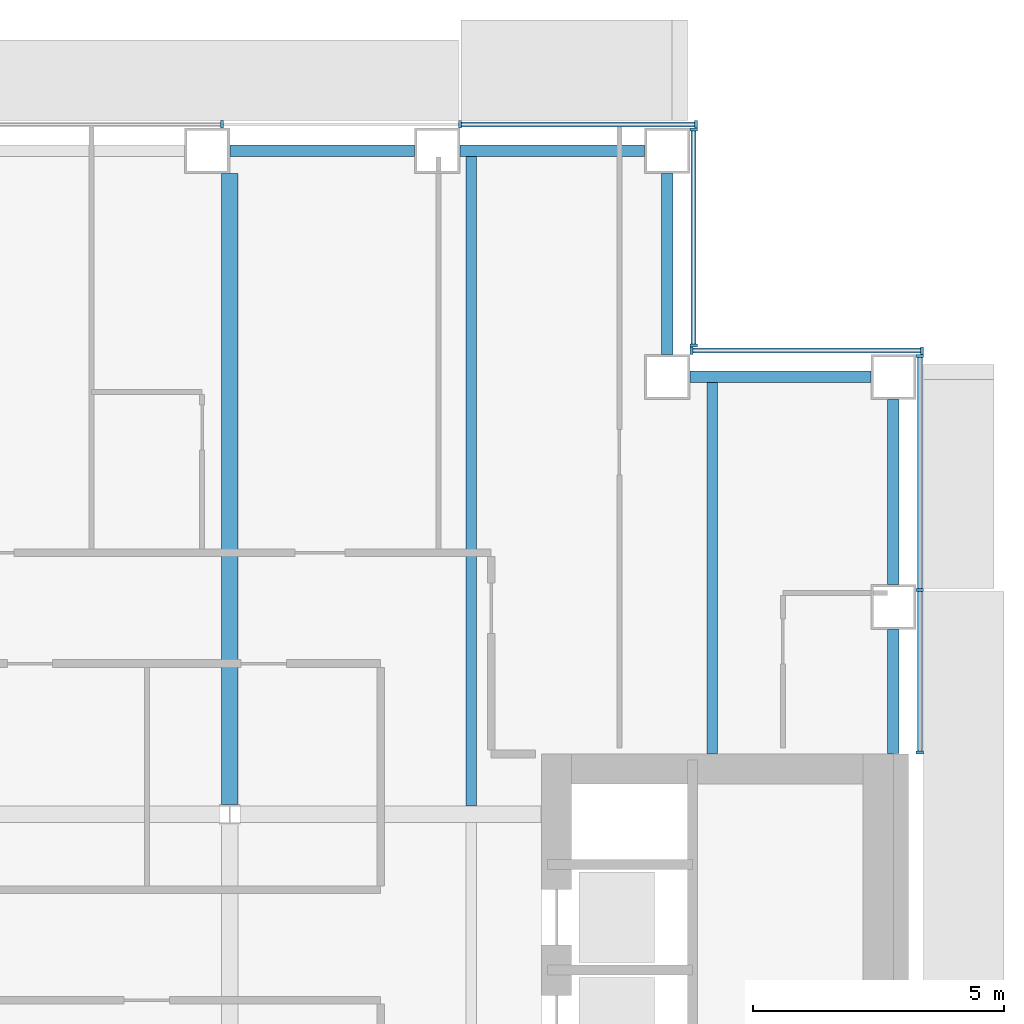
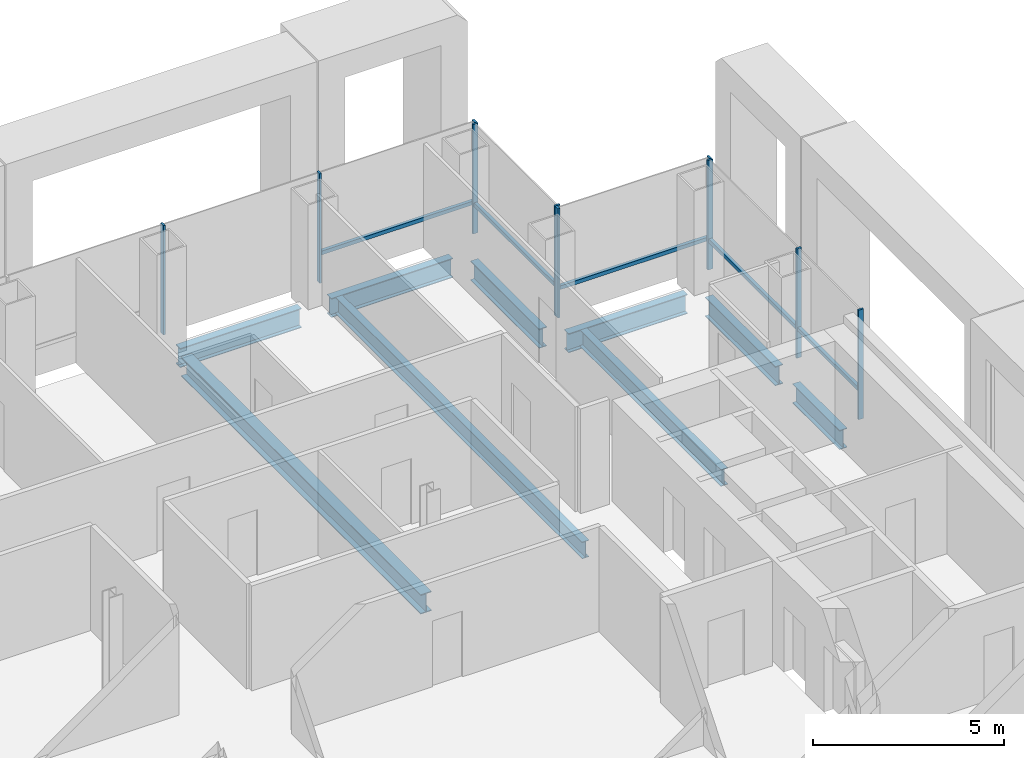
# One storey, part 8 of 20: 15 members, 9 beams, 4 elements without a shape of their own.
"""IFC4 building model written with IfcOpenShell, lengths in metres."""

from ifc_helpers import new_model, si_unit, direction, frame, origin, origin_2d, place, context, subcontext, project, spatial, rectangle, i_section, extrude, material, material_profile, profile_set, type_object, element, aggregate, save


model = new_model("IFC4")

# Units and contexts
model_context = context("Model", 3, precision=1e-05, world=origin(), true_north=direction((0.0, 1.0)))
body_context = subcontext(model_context, "Body", "Model", "MODEL_VIEW")
ifc_project = project(units=[si_unit("LENGTHUNIT", "METRE"), si_unit("AREAUNIT", "SQUARE_METRE"), si_unit("VOLUMEUNIT", "CUBIC_METRE"), si_unit("PLANEANGLEUNIT", "RADIAN"), si_unit("MASSUNIT", "GRAM", prefix="KILO")], contexts=[model_context])

# Site, building, storey
site_placement = place(None, origin())
site = spatial("IfcSite", under=ifc_project, at=site_placement, CompositionType="ELEMENT")
building_placement = place(site_placement, origin())
building = spatial("IfcBuilding", under=site, at=building_placement, Name="Cobrizo Arcos Hotel Tower", CompositionType="ELEMENT")
storey_placement = place(building_placement, frame((0.0, 0.0, 96.0)))
storey = spatial("IfcBuildingStorey", under=building, at=storey_placement, Name="L23", CompositionType="ELEMENT", Elevation=96.0)

# Curtain wall, members
ifc_material_1 = material(Name="Aluminium 6063-T6 anodised bronze", Category="aluminium")
curtain_wall_type = type_object("IfcCurtainWallType", Name="CW-A guest facade", PredefinedType="NOTDEFINED", material=ifc_material_1)
curtain_wall_1_placement = place(storey_placement, origin())
curtain_wall_1 = element("IfcCurtainWall", 1, at=curtain_wall_1_placement, inside=storey, type_object=curtain_wall_type, Name="CW-A L23 E face", PredefinedType="NOTDEFINED")
ifc_material_profile_1 = material_profile(ifc_material_1, rectangle(XDim=0.14990234375, YDim=0.06005859375, at=origin_2d()), Name="CW-A mullion 150x60")
ifc_profile_set_1 = profile_set([ifc_material_profile_1], Name="Aluminium 6063-T6 anodised bronze")
member_type_1 = type_object("IfcMemberType", Name="CW-A mullion 150x60", PredefinedType="MULLION", material=ifc_profile_set_1)
member_1_placement = place(storey_placement, frame((23.324951171875, 10.830078125, 0.0), z_axis=(0.0, 0.0, 1.0), x_axis=(1.0, 0.0, 0.0)))
member_1 = element("IfcMember", 2, at=member_1_placement, type_object=member_type_1, Name="CW-A mullion 1", PredefinedType="MULLION", context=body_context, shape_type="SweptSolid", body=[
    extrude(rectangle(XDim=0.14990234375, YDim=0.06005859375, at=origin_2d()), origin(), (0.0, 0.0, 1.0), 3.5),
])
member_2_placement = place(storey_placement, frame((23.324951171875, 14.0625, 0.0), z_axis=(0.0, 0.0, 1.0), x_axis=(1.0, 0.0, 0.0)))
member_2 = element("IfcMember", 3, at=member_2_placement, type_object=member_type_1, Name="CW-A mullion 2", PredefinedType="MULLION", context=body_context, shape_type="SweptSolid", body=[
    extrude(rectangle(XDim=0.14990234375, YDim=0.06005859375, at=origin_2d()), origin(), (0.0, 0.0, 1.0), 3.5),
])
member_3_placement = place(storey_placement, frame((23.324951171875, 18.719970703125, 0.0), z_axis=(0.0, 0.0, 1.0), x_axis=(1.0, 0.0, 0.0)))
member_3 = element("IfcMember", 4, at=member_3_placement, type_object=member_type_1, Name="CW-A mullion 3", PredefinedType="MULLION", context=body_context, shape_type="SweptSolid", body=[
    extrude(rectangle(XDim=0.14990234375, YDim=0.06005859375, at=origin_2d()), origin(), (0.0, 0.0, 1.0), 3.5),
])

curtain_wall_2_placement = place(storey_placement, origin())
curtain_wall_2 = element("IfcCurtainWall", 5, at=curtain_wall_2_placement, inside=storey, type_object=curtain_wall_type, Name="CW-A L23 N face", PredefinedType="NOTDEFINED")
member_4_placement = place(storey_placement, frame((23.3701171875, 18.824951171875, 0.0), z_axis=(0.0, 0.0, 1.0), x_axis=(0.0, 1.0, 0.0)))
member_4 = element("IfcMember", 6, at=member_4_placement, type_object=member_type_1, Name="CW-A mullion 1", PredefinedType="MULLION", context=body_context, shape_type="SweptSolid", body=[
    extrude(rectangle(XDim=0.14990234375, YDim=0.06005859375, at=origin_2d()), origin(), (0.0, 0.0, 1.0), 3.5),
])
member_5_placement = place(storey_placement, frame((18.780029296875, 18.824951171875, 0.0), z_axis=(0.0, 0.0, 1.0), x_axis=(0.0, 1.0, 0.0)))
member_5 = element("IfcMember", 7, at=member_5_placement, type_object=member_type_1, Name="CW-A mullion 2", PredefinedType="MULLION", context=body_context, shape_type="SweptSolid", body=[
    extrude(rectangle(XDim=0.14990234375, YDim=0.06005859375, at=origin_2d()), origin(), (0.0, 0.0, 1.0), 3.5),
])

curtain_wall_3_placement = place(storey_placement, origin())
curtain_wall_3 = element("IfcCurtainWall", 8, at=curtain_wall_3_placement, inside=storey, type_object=curtain_wall_type, Name="CW-A L23 E face", PredefinedType="NOTDEFINED")
member_6_placement = place(storey_placement, frame((18.824951171875, 18.929931640625, 0.0), z_axis=(0.0, 0.0, 1.0), x_axis=(1.0, 0.0, 0.0)))
member_6 = element("IfcMember", 9, at=member_6_placement, type_object=member_type_1, Name="CW-A mullion 1", PredefinedType="MULLION", context=body_context, shape_type="SweptSolid", body=[
    extrude(rectangle(XDim=0.14990234375, YDim=0.06005859375, at=origin_2d()), origin(), (0.0, 0.0, 1.0), 3.5),
])
member_7_placement = place(storey_placement, frame((18.824951171875, 23.219970703125, 0.0), z_axis=(0.0, 0.0, 1.0), x_axis=(1.0, 0.0, 0.0)))
member_7 = element("IfcMember", 10, at=member_7_placement, type_object=member_type_1, Name="CW-A mullion 2", PredefinedType="MULLION", context=body_context, shape_type="SweptSolid", body=[
    extrude(rectangle(XDim=0.14990234375, YDim=0.06005859375, at=origin_2d()), origin(), (0.0, 0.0, 1.0), 3.5),
])

curtain_wall_4_placement = place(storey_placement, origin())
curtain_wall_4 = element("IfcCurtainWall", 11, at=curtain_wall_4_placement, inside=storey, type_object=curtain_wall_type, Name="CW-A L23 N face", PredefinedType="NOTDEFINED")
member_8_placement = place(storey_placement, frame((18.8701171875, 23.324951171875, 0.0), z_axis=(0.0, 0.0, 1.0), x_axis=(0.0, 1.0, 0.0)))
member_8 = element("IfcMember", 12, at=member_8_placement, type_object=member_type_1, Name="CW-A mullion 1", PredefinedType="MULLION", context=body_context, shape_type="SweptSolid", body=[
    extrude(rectangle(XDim=0.14990234375, YDim=0.06005859375, at=origin_2d()), origin(), (0.0, 0.0, 1.0), 3.5),
])
member_9_placement = place(storey_placement, frame((14.175048828125, 23.324951171875, 0.0), z_axis=(0.0, 0.0, 1.0), x_axis=(0.0, 1.0, 0.0)))
member_9 = element("IfcMember", 13, at=member_9_placement, type_object=member_type_1, Name="CW-A mullion 2", PredefinedType="MULLION", context=body_context, shape_type="SweptSolid", body=[
    extrude(rectangle(XDim=0.14990234375, YDim=0.06005859375, at=origin_2d()), origin(), (0.0, 0.0, 1.0), 3.5),
])
member_10_placement = place(storey_placement, frame((9.449951171875, 23.324951171875, 0.0), z_axis=(0.0, 0.0, 1.0), x_axis=(0.0, 1.0, 0.0)))
member_10 = element("IfcMember", 14, at=member_10_placement, type_object=member_type_1, Name="CW-A mullion 3", PredefinedType="MULLION", context=body_context, shape_type="SweptSolid", body=[
    extrude(rectangle(XDim=0.14990234375, YDim=0.06005859375, at=origin_2d()), origin(), (0.0, 0.0, 1.0), 3.5),
])

# Member
ifc_material_profile_2 = material_profile(ifc_material_1, rectangle(XDim=0.10009765625, YDim=0.1201171875, at=origin_2d()), Name="CW-A transom 120x100")
ifc_profile_set_2 = profile_set([ifc_material_profile_2], Name="Aluminium 6063-T6 anodised bronze")
member_type_2 = type_object("IfcMemberType", Name="CW-A transom 120x100", PredefinedType="USERDEFINED", material=ifc_profile_set_2)
member_11_placement = place(storey_placement, frame((23.324951171875, 10.860107421875, 0.929931640625), z_axis=(0.0, 1.0, 0.0), x_axis=(-1.0, 0.0, 0.0)))
member_11 = element("IfcMember", 15, at=member_11_placement, type_object=member_type_2, Name="CW-A transom 927", ObjectType="TRANSOM", PredefinedType="USERDEFINED", context=body_context, shape_type="SweptSolid", body=[
    extrude(rectangle(XDim=0.10009765625, YDim=0.1201171875, at=origin_2d()), origin(), (0.0, 0.0, 1.0), 3.17236328125),
])

member_12_placement = place(storey_placement, frame((23.324951171875, 14.092529296875, 0.929931640625), z_axis=(0.0, 1.0, 0.0), x_axis=(-1.0, 0.0, 0.0)))
member_12 = element("IfcMember", 16, at=member_12_placement, type_object=member_type_2, Name="CW-A transom 928", ObjectType="TRANSOM", PredefinedType="USERDEFINED", context=body_context, shape_type="SweptSolid", body=[
    extrude(rectangle(XDim=0.10009765625, YDim=0.1201171875, at=origin_2d()), origin(), (0.0, 0.0, 1.0), 4.597412109375),
])

aggregate(curtain_wall_1, [member_1, member_2, member_3, member_11, member_12])

member_13_placement = place(storey_placement, frame((23.340087890625, 18.824951171875, 0.929931640625), z_axis=(-1.0, 0.0, 0.0), x_axis=(0.0, -1.0, 0.0)))
member_13 = element("IfcMember", 17, at=member_13_placement, type_object=member_type_2, Name="CW-A transom 929", ObjectType="TRANSOM", PredefinedType="USERDEFINED", context=body_context, shape_type="SweptSolid", body=[
    extrude(rectangle(XDim=0.10009765625, YDim=0.1201171875, at=origin_2d()), origin(), (0.0, 0.0, 1.0), 4.530029296875),
])

aggregate(curtain_wall_2, [member_4, member_5, member_13])

member_14_placement = place(storey_placement, frame((18.824951171875, 18.9599609375, 0.929931640625), z_axis=(0.0, 1.0, 0.0), x_axis=(-1.0, 0.0, 0.0)))
member_14 = element("IfcMember", 18, at=member_14_placement, type_object=member_type_2, Name="CW-A transom 930", ObjectType="TRANSOM", PredefinedType="USERDEFINED", context=body_context, shape_type="SweptSolid", body=[
    extrude(rectangle(XDim=0.10009765625, YDim=0.1201171875, at=origin_2d()), origin(), (0.0, 0.0, 1.0), 4.22998046875),
])

aggregate(curtain_wall_3, [member_6, member_7, member_14])

member_15_placement = place(storey_placement, frame((18.840087890625, 23.324951171875, 0.929931640625), z_axis=(-1.0, 0.0, 0.0), x_axis=(0.0, -1.0, 0.0)))
member_15 = element("IfcMember", 19, at=member_15_placement, type_object=member_type_2, Name="CW-A transom 931", ObjectType="TRANSOM", PredefinedType="USERDEFINED", context=body_context, shape_type="SweptSolid", body=[
    extrude(rectangle(XDim=0.10009765625, YDim=0.1201171875, at=origin_2d()), origin(), (0.0, 0.0, 1.0), 4.635009765625),
])

aggregate(curtain_wall_4, [member_8, member_9, member_10, member_15])

# Beams
ifc_material_2 = material(Name="Steel ASTM A992 Grade 50", Category="steel")
ifc_material_profile_3 = material_profile(ifc_material_2, i_section(OverallWidth=0.209228515625, OverallDepth=0.533447265625, WebThickness=0.01025390625, FlangeThickness=0.015625, at=origin_2d()), Name="W21X62")
ifc_profile_set_3 = profile_set([ifc_material_profile_3], Name="Steel ASTM A992 Grade 50")
beam_type_1 = type_object("IfcBeamType", Name="W21X62 joist", PredefinedType="JOIST", material=ifc_profile_set_3)
beam_1_placement = place(storey_placement, frame((14.39990234375, 9.763916015625, -0.416748046875), z_axis=(0.0, 1.0, 0.0), x_axis=(-1.0, 0.0, 0.0)))
element("IfcBeam", 20, at=beam_1_placement, inside=storey, type_object=beam_type_1, Name="Floor joist J1, L23, no. 018", PredefinedType="JOIST", context=body_context, shape_type="SweptSolid", body=[
    extrude(i_section(OverallWidth=0.209228515625, OverallDepth=0.533447265625, WebThickness=0.01025390625, FlangeThickness=0.015625, at=origin_2d()), origin(), (0.0, 0.0, 1.0), 12.946044921875),
])
beam_2_placement = place(storey_placement, frame((19.199951171875, 10.81005859375, -0.416748046875), z_axis=(0.0, 1.0, 0.0), x_axis=(-1.0, 0.0, 0.0)))
element("IfcBeam", 21, at=beam_2_placement, inside=storey, type_object=beam_type_1, Name="Floor joist J1, L23, no. 020", PredefinedType="JOIST", context=body_context, shape_type="SweptSolid", body=[
    extrude(i_section(OverallWidth=0.209228515625, OverallDepth=0.533447265625, WebThickness=0.01025390625, FlangeThickness=0.015625, at=origin_2d()), origin(), (0.0, 0.0, 1.0), 7.39990234375),
])
ifc_material_profile_4 = material_profile(ifc_material_2, i_section(OverallWidth=0.32763671875, OverallDepth=0.622314453125, WebThickness=0.015380859375, FlangeThickness=0.0244140625, at=origin_2d()), Name="W24X131")
ifc_profile_set_4 = profile_set([ifc_material_profile_4], Name="Steel ASTM A992 Grade 50")
beam_type_2 = type_object("IfcBeamType", Name="W24X131 girder", PredefinedType="BEAM", material=ifc_profile_set_4)
beam_3_placement = place(storey_placement, frame((9.60009765625, 9.79931640625, -0.461181640625), z_axis=(0.0, 1.0, 0.0), x_axis=(-1.0, 0.0, 0.0)))
element("IfcBeam", 22, at=beam_3_placement, inside=storey, type_object=beam_type_2, Name="Floor girder G1, L23, no. 024", PredefinedType="BEAM", context=body_context, shape_type="SweptSolid", body=[
    extrude(i_section(OverallWidth=0.32763671875, OverallDepth=0.622314453125, WebThickness=0.015380859375, FlangeThickness=0.0244140625, at=origin_2d()), origin(), (0.0, 0.0, 1.0), 12.55078125),
])
ifc_material_profile_5 = material_profile(ifc_material_2, i_section(OverallWidth=0.23046875, OverallDepth=0.6171875, WebThickness=0.01318359375, FlangeThickness=0.022216796875, at=origin_2d()), Name="W24X94")
ifc_profile_set_5 = profile_set([ifc_material_profile_5], Name="Steel ASTM A992 Grade 50")
beam_type_3 = type_object("IfcBeamType", Name="W24X94 spandrel", PredefinedType="SPANDREL", material=ifc_profile_set_5)
beam_4_placement = place(storey_placement, frame((22.800048828125, 10.81005859375, -0.45849609375), z_axis=(0.0, 1.0, 0.0), x_axis=(-1.0, 0.0, 0.0)))
element("IfcBeam", 23, at=beam_4_placement, inside=storey, type_object=beam_type_3, Name="Spandrel beam W24X94, L23, no. 013", PredefinedType="SPANDREL", context=body_context, shape_type="SweptSolid", body=[
    extrude(i_section(OverallWidth=0.23046875, OverallDepth=0.6171875, WebThickness=0.01318359375, FlangeThickness=0.022216796875, at=origin_2d()), origin(), (0.0, 0.0, 1.0), 2.46484375),
])
beam_5_placement = place(storey_placement, frame((22.800048828125, 14.175048828125, -0.45849609375), z_axis=(0.0, 1.0, 0.0), x_axis=(-1.0, 0.0, 0.0)))
element("IfcBeam", 24, at=beam_5_placement, inside=storey, type_object=beam_type_3, Name="Spandrel beam W24X94, L23, no. 014", PredefinedType="SPANDREL", context=body_context, shape_type="SweptSolid", body=[
    extrude(i_section(OverallWidth=0.23046875, OverallDepth=0.6171875, WebThickness=0.01318359375, FlangeThickness=0.022216796875, at=origin_2d()), origin(), (0.0, 0.0, 1.0), 3.675048828125),
])
for number, where, z_axis, x_axis, name in (
    (25, (22.35009765625, 18.300048828125, -0.45849609375), (-1.0, 0.0, 0.0), (0.0, -1.0, 0.0), "Spandrel beam W24X94, L23, no. 015"),
    (26, (18.300048828125, 18.75, -0.45849609375), (0.0, 1.0, 0.0), (-1.0, 0.0, 0.0), "Spandrel beam W24X94, L23, no. 016"),
):
    element("IfcBeam", number, at=place(storey_placement, frame(where, z_axis=z_axis, x_axis=x_axis)), inside=storey, type_object=beam_type_3, Name=name, PredefinedType="SPANDREL", context=body_context, shape_type="SweptSolid", body=[
        extrude(i_section(OverallWidth=0.23046875, OverallDepth=0.6171875, WebThickness=0.01318359375, FlangeThickness=0.022216796875, at=origin_2d()), origin(), (0.0, 0.0, 1.0), 3.60009765625),
    ])
beam_6_placement = place(storey_placement, frame((17.85009765625, 22.800048828125, -0.45849609375), z_axis=(-1.0, 0.0, 0.0), x_axis=(0.0, -1.0, 0.0)))
element("IfcBeam", 27, at=beam_6_placement, inside=storey, type_object=beam_type_3, Name="Spandrel beam W24X94, L23, no. 017", PredefinedType="SPANDREL", context=body_context, shape_type="SweptSolid", body=[
    extrude(i_section(OverallWidth=0.23046875, OverallDepth=0.6171875, WebThickness=0.01318359375, FlangeThickness=0.022216796875, at=origin_2d()), origin(), (0.0, 0.0, 1.0), 3.675048828125),
])
beam_7_placement = place(storey_placement, frame((13.27490234375, 22.800048828125, -0.45849609375), z_axis=(-1.0, 0.0, 0.0), x_axis=(0.0, -1.0, 0.0)))
element("IfcBeam", 28, at=beam_7_placement, inside=storey, type_object=beam_type_3, Name="Spandrel beam W24X94, L23, no. 018", PredefinedType="SPANDREL", context=body_context, shape_type="SweptSolid", body=[
    extrude(i_section(OverallWidth=0.23046875, OverallDepth=0.6171875, WebThickness=0.01318359375, FlangeThickness=0.022216796875, at=origin_2d()), origin(), (0.0, 0.0, 1.0), 3.6748046875),
])

save(model, "model.ifc")
